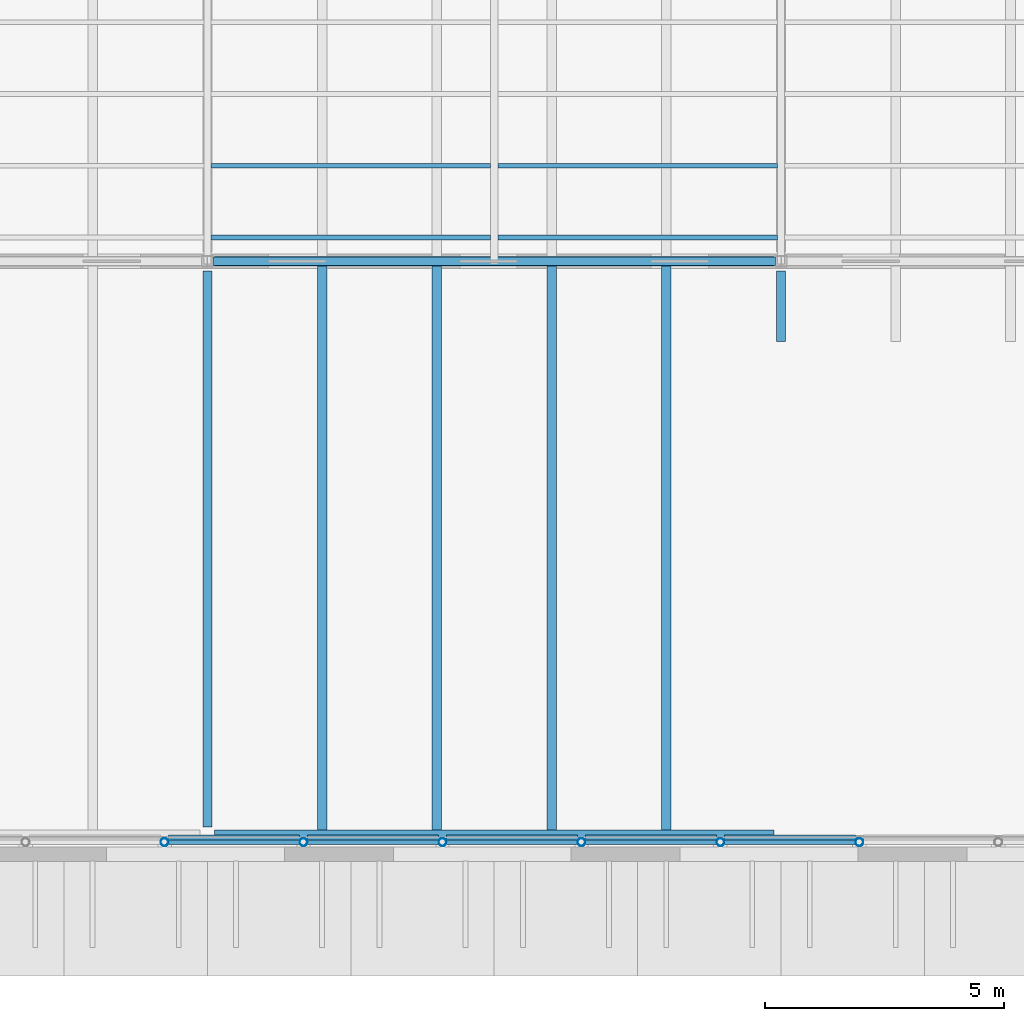
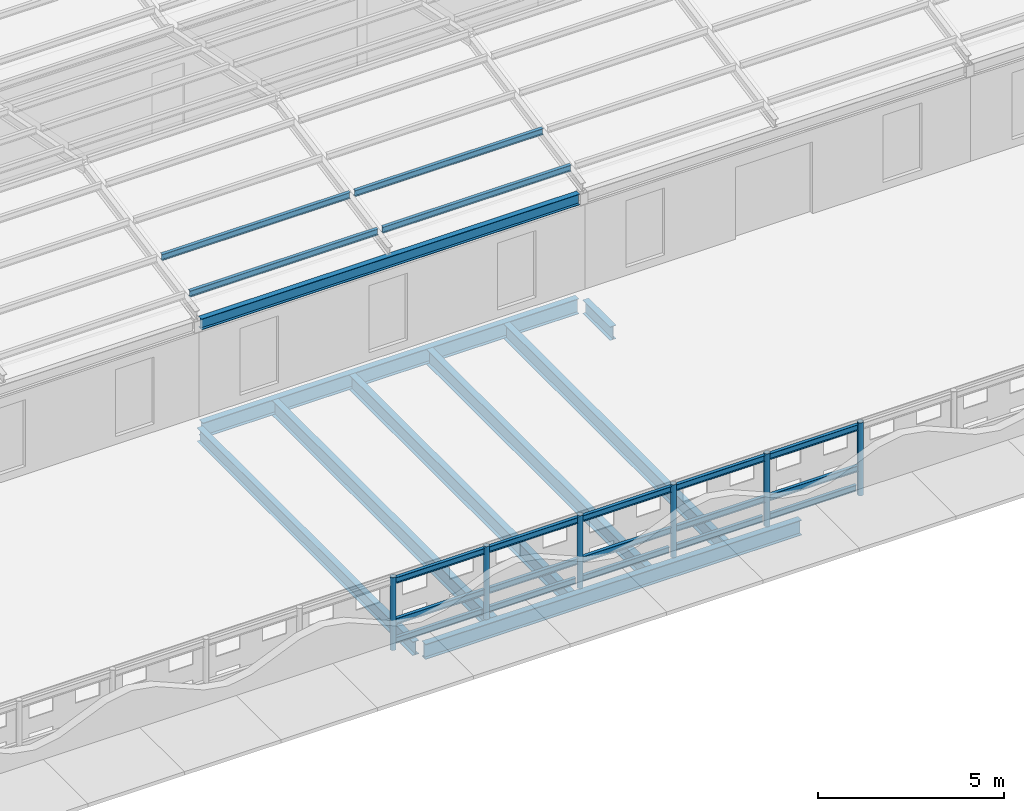
# One storey, part 25 of 91: 25 members, 9 beams.
"""IFC4 building model written with IfcOpenShell, lengths in metres."""

from ifc_helpers import new_model, si_unit, direction, frame, origin, origin_2d, place, context, subcontext, project, spatial, hollow_circle, i_section, extrude, material, material_profile, profile_set, type_object, element, save


model = new_model("IFC4")

# Units and contexts
model_context = context("Model", 3, precision=1e-05, world=origin(), true_north=direction((0.0, 1.0)))
body_context = subcontext(model_context, "Body", "Model", "MODEL_VIEW")
ifc_project = project(units=[si_unit("LENGTHUNIT", "METRE"), si_unit("AREAUNIT", "SQUARE_METRE"), si_unit("VOLUMEUNIT", "CUBIC_METRE"), si_unit("PLANEANGLEUNIT", "RADIAN"), si_unit("MASSUNIT", "GRAM", prefix="KILO")], contexts=[model_context])

# Site, building, storey
site_placement = place(None, origin())
site = spatial("IfcSite", under=ifc_project, at=site_placement, CompositionType="ELEMENT")
building_placement = place(site_placement, origin())
building = spatial("IfcBuilding", under=site, at=building_placement, Name="Ravi Spectrum Wholesale Market", CompositionType="ELEMENT")
storey_placement = place(building_placement, frame((0.0, 0.0, 16.199951171875)))
storey = spatial("IfcBuildingStorey", under=building, at=storey_placement, Name="ROOF PLANT LEVEL", CompositionType="ELEMENT", Elevation=16.199951171875)

# Members
ifc_material_1 = material(Name="Steel S355", Category="steel")
ifc_material_profile_1 = material_profile(ifc_material_1, hollow_circle(Radius=0.084228515625, WallThickness=0.00634765625, at=origin_2d()))
ifc_profile_set_1 = profile_set([ifc_material_profile_1], Name="Steel S355")
member_type_1 = type_object("IfcMemberType", Name="CHS 168.3x6.3 post", PredefinedType="POST", material=ifc_profile_set_1)
for number, where, z_axis, x_axis, name in (
    (1, (221.105224609375, 17.85009765625, 0.0), (0.0, 0.0, 1.0), (1.0, 0.0, 0.0), "CS-MB-ROOF-009"),
    (2, (224.011962890625, 17.85009765625, 0.0), (0.0, 0.0, 1.0), (1.0, 0.0, 0.0), "CS-MB-ROOF-010"),
    (3, (226.9189453125, 17.85009765625, 0.0), (0.0, 0.0, 1.0), (1.0, 0.0, 0.0), "CS-MB-ROOF-011"),
    (4, (229.825927734375, 17.85009765625, 0.0), (0.0, 0.0, 1.0), (1.0, 0.0, 0.0), "CS-MB-ROOF-012"),
    (5, (232.732666015625, 17.85009765625, 0.0), (0.0, 0.0, 1.0), (1.0, 0.0, 0.0), "CS-MB-ROOF-013"),
    (6, (235.6396484375, 17.85009765625, 0.0), (0.0, 0.0, 1.0), (1.0, 0.0, 0.0), "CS-MB-ROOF-014"),
):
    element("IfcMember", number, at=place(storey_placement, frame(where, z_axis=z_axis, x_axis=x_axis)), inside=storey, type_object=member_type_1, Name=name, PredefinedType="POST", context=body_context, shape_type="SweptSolid", body=[
        extrude(hollow_circle(Radius=0.084228515625, WallThickness=0.00634765625, at=origin_2d()), origin(), (0.0, 0.0, 1.0), 2.400146484375),
    ])
ifc_material_2 = material(Name="Steel S355", Category="steel")
ifc_material_profile_2 = material_profile(ifc_material_2, i_section(OverallWidth=0.10009765625, OverallDepth=0.199951171875, WebThickness=0.005615234375, FlangeThickness=0.008544921875, at=origin_2d()))
ifc_profile_set_2 = profile_set([ifc_material_profile_2], Name="Steel S355")
member_type_2 = type_object("IfcMemberType", Name="IPE 200 purlin", PredefinedType="PURLIN", material=ifc_profile_set_2)
for number, where, z_axis, x_axis, name in (
    (7, (221.189208984375, 17.85009765625, 0.900146484375), (1.0, 0.0, 0.0), (0.0, 1.0, 0.0), "CS-MB-ROOF-117"),
    (8, (221.189208984375, 17.85009765625, 2.25), (1.0, 0.0, 0.0), (0.0, 1.0, 0.0), "CS-MB-ROOF-118"),
    (9, (221.189208984375, 17.94921875, 0.199951171875), (1.0, 0.0, 0.0), (0.0, 1.0, 0.0), "CS-MB-ROOF-119"),
):
    element("IfcMember", number, at=place(storey_placement, frame(where, z_axis=z_axis, x_axis=x_axis)), inside=storey, type_object=member_type_2, Name=name, PredefinedType="PURLIN", context=body_context, shape_type="SweptSolid", body=[
        extrude(i_section(OverallWidth=0.10009765625, OverallDepth=0.199951171875, WebThickness=0.005615234375, FlangeThickness=0.008544921875, at=origin_2d()), origin(), (0.0, 0.0, 1.0), 2.73876953125),
    ])
for number, where, z_axis, x_axis, name in (
    (10, (224.09619140625, 17.85009765625, 0.900146484375), (1.0, 0.0, 0.0), (0.0, 1.0, 0.0), "CS-MB-ROOF-120"),
    (11, (224.09619140625, 17.85009765625, 2.25), (1.0, 0.0, 0.0), (0.0, 1.0, 0.0), "CS-MB-ROOF-121"),
    (12, (224.09619140625, 17.94921875, 0.199951171875), (1.0, 0.0, 0.0), (0.0, 1.0, 0.0), "CS-MB-ROOF-122"),
    (13, (227.003173828125, 17.85009765625, 0.900146484375), (1.0, 0.0, 0.0), (0.0, 1.0, 0.0), "CS-MB-ROOF-123"),
    (14, (227.003173828125, 17.85009765625, 2.25), (1.0, 0.0, 0.0), (0.0, 1.0, 0.0), "CS-MB-ROOF-124"),
    (15, (227.003173828125, 17.94921875, 0.199951171875), (1.0, 0.0, 0.0), (0.0, 1.0, 0.0), "CS-MB-ROOF-125"),
):
    element("IfcMember", number, at=place(storey_placement, frame(where, z_axis=z_axis, x_axis=x_axis)), inside=storey, type_object=member_type_2, Name=name, PredefinedType="PURLIN", context=body_context, shape_type="SweptSolid", body=[
        extrude(i_section(OverallWidth=0.10009765625, OverallDepth=0.199951171875, WebThickness=0.005615234375, FlangeThickness=0.008544921875, at=origin_2d()), origin(), (0.0, 0.0, 1.0), 2.738525390625),
    ])
for number, where, z_axis, x_axis, name in (
    (16, (229.909912109375, 17.85009765625, 0.900146484375), (1.0, 0.0, 0.0), (0.0, 1.0, 0.0), "CS-MB-ROOF-126"),
    (17, (229.909912109375, 17.85009765625, 2.25), (1.0, 0.0, 0.0), (0.0, 1.0, 0.0), "CS-MB-ROOF-127"),
    (18, (229.909912109375, 17.94921875, 0.199951171875), (1.0, 0.0, 0.0), (0.0, 1.0, 0.0), "CS-MB-ROOF-128"),
):
    element("IfcMember", number, at=place(storey_placement, frame(where, z_axis=z_axis, x_axis=x_axis)), inside=storey, type_object=member_type_2, Name=name, PredefinedType="PURLIN", context=body_context, shape_type="SweptSolid", body=[
        extrude(i_section(OverallWidth=0.10009765625, OverallDepth=0.199951171875, WebThickness=0.005615234375, FlangeThickness=0.008544921875, at=origin_2d()), origin(), (0.0, 0.0, 1.0), 2.73876953125),
    ])
for number, where, z_axis, x_axis, name in (
    (19, (232.81689453125, 17.85009765625, 0.900146484375), (1.0, 0.0, 0.0), (0.0, 1.0, 0.0), "CS-MB-ROOF-129"),
    (20, (232.81689453125, 17.85009765625, 2.25), (1.0, 0.0, 0.0), (0.0, 1.0, 0.0), "CS-MB-ROOF-130"),
    (21, (232.81689453125, 17.94921875, 0.199951171875), (1.0, 0.0, 0.0), (0.0, 1.0, 0.0), "CS-MB-ROOF-131"),
):
    element("IfcMember", number, at=place(storey_placement, frame(where, z_axis=z_axis, x_axis=x_axis)), inside=storey, type_object=member_type_2, Name=name, PredefinedType="PURLIN", context=body_context, shape_type="SweptSolid", body=[
        extrude(i_section(OverallWidth=0.10009765625, OverallDepth=0.199951171875, WebThickness=0.005615234375, FlangeThickness=0.008544921875, at=origin_2d()), origin(), (0.0, 0.0, 1.0), 2.738525390625),
    ])
for number, where, z_axis, x_axis, name in (
    (22, (222.074951171875, 30.5, 3.684814453125), (1.0, 0.0, 0.0), (0.0, 1.0, 0.0), "CS-MB-ROOF-393"),
    (23, (222.074951171875, 32.0, 3.976318359375), (1.0, 0.0, 0.0), (0.0, 1.0, 0.0), "CS-MB-ROOF-394"),
    (24, (228.074951171875, 30.5, 3.684814453125), (1.0, 0.0, 0.0), (0.0, 1.0, 0.0), "CS-MB-ROOF-411"),
    (25, (228.074951171875, 32.0, 3.976318359375), (1.0, 0.0, 0.0), (0.0, 1.0, 0.0), "CS-MB-ROOF-412"),
):
    element("IfcMember", number, at=place(storey_placement, frame(where, z_axis=z_axis, x_axis=x_axis)), inside=storey, type_object=member_type_2, Name=name, PredefinedType="PURLIN", context=body_context, shape_type="SweptSolid", body=[
        extrude(i_section(OverallWidth=0.10009765625, OverallDepth=0.199951171875, WebThickness=0.005615234375, FlangeThickness=0.008544921875, at=origin_2d()), origin(), (0.0, 0.0, 1.0), 5.85009765625),
    ])

# Beams
ifc_material_3 = material(Name="Steel S355", Category="steel")
ifc_material_profile_3 = material_profile(ifc_material_3, i_section(OverallWidth=0.169921875, OverallDepth=0.360107421875, WebThickness=0.008056640625, FlangeThickness=0.0126953125, at=origin_2d()))
ifc_profile_set_3 = profile_set([ifc_material_profile_3], Name="Steel S355")
beam_type_1 = type_object("IfcBeamType", Name="IPE 360 beam", PredefinedType="BEAM", material=ifc_profile_set_3)
beam_1_placement = place(storey_placement, frame((222.1201171875, 30.0, 2.9921875), z_axis=(1.0, 0.0, 0.0), x_axis=(0.0, 1.0, 0.0)))
element("IfcBeam", 26, at=beam_1_placement, inside=storey, type_object=beam_type_1, Name="CS-BM-ROOF-182", PredefinedType="BEAM", context=body_context, shape_type="SweptSolid", body=[
    extrude(i_section(OverallWidth=0.169921875, OverallDepth=0.360107421875, WebThickness=0.008056640625, FlangeThickness=0.0126953125, at=origin_2d()), origin(), (0.0, 0.0, 1.0), 11.759765625),
])
ifc_material_4 = material(Name="Steel S355", Category="steel")
ifc_material_profile_4 = material_profile(ifc_material_4, i_section(OverallWidth=0.18994140625, OverallDepth=0.449951171875, WebThickness=0.009521484375, FlangeThickness=0.0146484375, at=origin_2d()))
ifc_profile_set_4 = profile_set([ifc_material_profile_4], Name="Steel S355")
beam_type_2 = type_object("IfcBeamType", Name="IPE 450 girder", PredefinedType="BEAM", material=ifc_profile_set_4)
beam_2_placement = place(storey_placement, frame((222.0, 18.169921875, -0.474853515625), z_axis=(0.0, 1.0, 0.0), x_axis=(-1.0, 0.0, 0.0)))
element("IfcBeam", 27, at=beam_2_placement, inside=storey, type_object=beam_type_2, Name="CS-BM-ROOF-045", PredefinedType="BEAM", context=body_context, shape_type="SweptSolid", body=[
    extrude(i_section(OverallWidth=0.18994140625, OverallDepth=0.449951171875, WebThickness=0.009521484375, FlangeThickness=0.0146484375, at=origin_2d()), origin(), (0.0, 0.0, 1.0), 11.630126953125),
])
beam_3_placement = place(storey_placement, frame((234.0, 28.324951171875, -0.474853515625), z_axis=(0.0, 1.0, 0.0), x_axis=(-1.0, 0.0, 0.0)))
element("IfcBeam", 28, at=beam_3_placement, inside=storey, type_object=beam_type_2, Name="CS-BM-ROOF-048", PredefinedType="BEAM", context=body_context, shape_type="SweptSolid", body=[
    extrude(i_section(OverallWidth=0.18994140625, OverallDepth=0.449951171875, WebThickness=0.009521484375, FlangeThickness=0.0146484375, at=origin_2d()), origin(), (0.0, 0.0, 1.0), 1.47509765625),
])
ifc_material_5 = material(Name="Steel S355", Category="steel")
ifc_material_profile_5 = material_profile(ifc_material_5, i_section(OverallWidth=0.199951171875, OverallDepth=0.5, WebThickness=0.01025390625, FlangeThickness=0.01611328125, at=origin_2d()))
ifc_profile_set_5 = profile_set([ifc_material_profile_5], Name="Steel S355")
beam_type_3 = type_object("IfcBeamType", Name="IPE 500 beam", PredefinedType="BEAM", material=ifc_profile_set_5)
for number, where, z_axis, x_axis, name in (
    (29, (222.14990234375, 18.0, -0.5), (1.0, 0.0, 0.0), (0.0, 1.0, 0.0), "CS-BM-ROOF-003"),
    (30, (222.14990234375, 30.0, -0.5), (1.0, 0.0, 0.0), (0.0, 1.0, 0.0), "CS-BM-ROOF-010"),
):
    element("IfcBeam", number, at=place(storey_placement, frame(where, z_axis=z_axis, x_axis=x_axis)), inside=storey, type_object=beam_type_3, Name=name, PredefinedType="BEAM", context=body_context, shape_type="SweptSolid", body=[
        extrude(i_section(OverallWidth=0.199951171875, OverallDepth=0.5, WebThickness=0.01025390625, FlangeThickness=0.01611328125, at=origin_2d()), origin(), (0.0, 0.0, 1.0), 11.7001953125),
    ])
for number, where, z_axis, x_axis, name in (
    (31, (224.39990234375, 18.10009765625, -0.5), (0.0, 1.0, 0.0), (-1.0, 0.0, 0.0), "CS-BM-ROOF-102"),
    (32, (226.800048828125, 18.10009765625, -0.5), (0.0, 1.0, 0.0), (-1.0, 0.0, 0.0), "CS-BM-ROOF-103"),
    (33, (229.199951171875, 18.10009765625, -0.5), (0.0, 1.0, 0.0), (-1.0, 0.0, 0.0), "CS-BM-ROOF-104"),
    (34, (231.60009765625, 18.10009765625, -0.5), (0.0, 1.0, 0.0), (-1.0, 0.0, 0.0), "CS-BM-ROOF-105"),
):
    element("IfcBeam", number, at=place(storey_placement, frame(where, z_axis=z_axis, x_axis=x_axis)), inside=storey, type_object=beam_type_3, Name=name, PredefinedType="BEAM", context=body_context, shape_type="SweptSolid", body=[
        extrude(i_section(OverallWidth=0.199951171875, OverallDepth=0.5, WebThickness=0.01025390625, FlangeThickness=0.01611328125, at=origin_2d()), origin(), (0.0, 0.0, 1.0), 11.7998046875),
    ])

save(model, "model.ifc")
